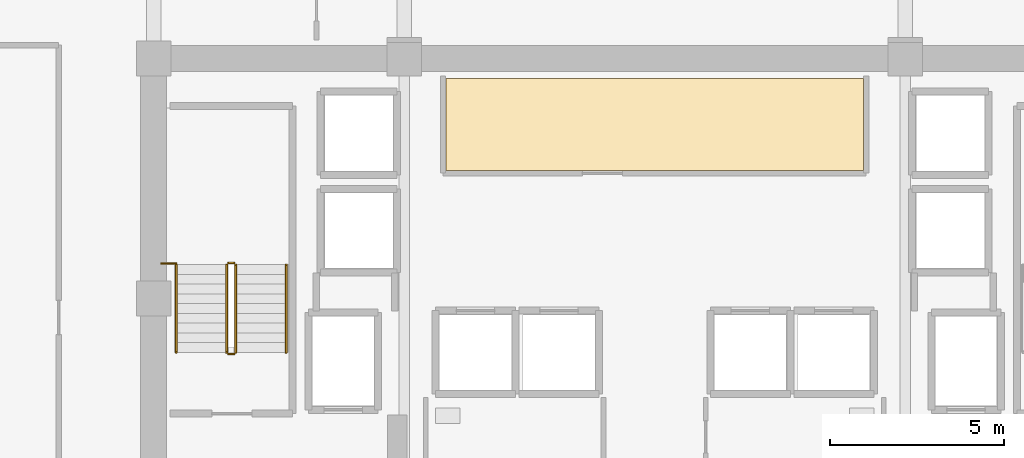
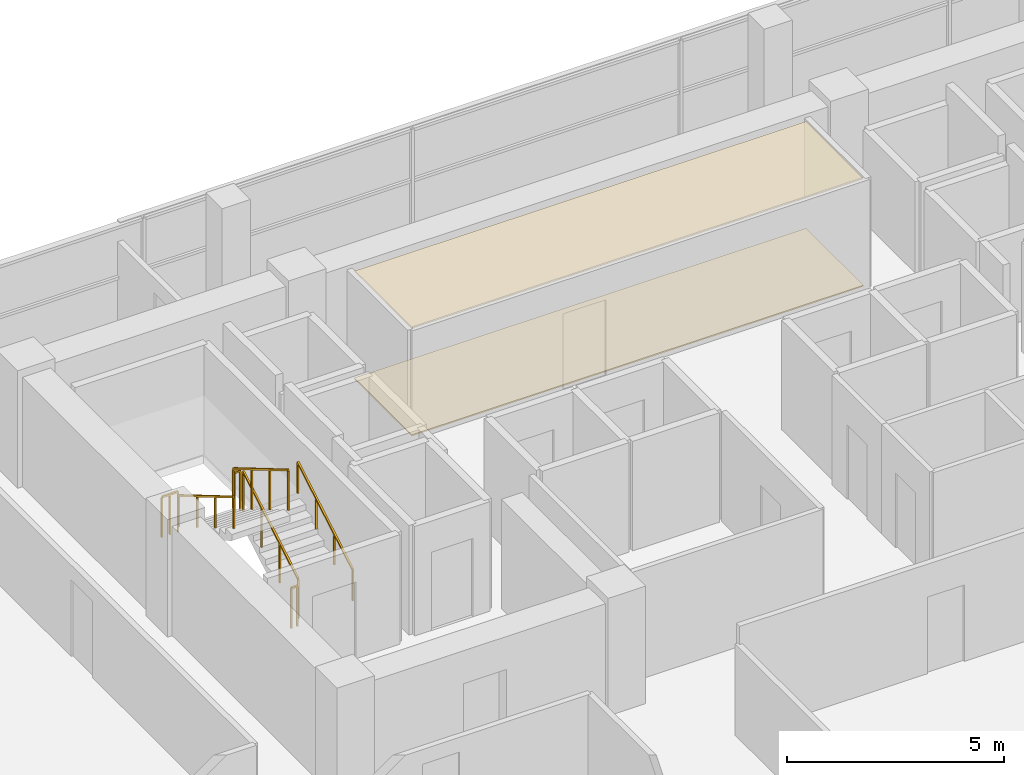
# One storey, part 21 of 23: 7 railings, 2 coverings.
"""IFC4 building model written with IfcOpenShell, lengths in metres."""

from ifc_helpers import new_model, si_unit, direction, frame, origin, origin_2d, place, context, subcontext, project, spatial, polyline, rectangle, outline, extrude, material, layer, layer_set, type_object, element, save


model = new_model("IFC4")

# Units and contexts
model_context = context("Model", 3, precision=1e-05, world=origin(), true_north=direction((0.0, 1.0)))
body_context = subcontext(model_context, "Body", "Model", "MODEL_VIEW")
ifc_project = project(units=[si_unit("LENGTHUNIT", "METRE"), si_unit("AREAUNIT", "SQUARE_METRE"), si_unit("VOLUMEUNIT", "CUBIC_METRE"), si_unit("PLANEANGLEUNIT", "RADIAN"), si_unit("MASSUNIT", "GRAM", prefix="KILO")], contexts=[model_context])

# Site, building, storey
site_placement = place(None, origin())
site = spatial("IfcSite", under=ifc_project, at=site_placement, CompositionType="ELEMENT")
building_placement = place(site_placement, origin())
building = spatial("IfcBuilding", under=site, at=building_placement, Name="Zarnakvel Exchange Tower", CompositionType="ELEMENT")
storey_placement = place(building_placement, frame((0.0, 0.0, 146.199951171875)))
storey = spatial("IfcBuildingStorey", under=building, at=storey_placement, Name="L40", CompositionType="ELEMENT", Elevation=146.199951171875)

# Coverings
ifc_material_1 = material(Name="Perforated Bronze Acoustic Metal Ceiling", Category="aluminium")
ifc_layer_1 = layer(ifc_material_1, 0.02001953125)
ifc_layer_set_1 = layer_set([ifc_layer_1], Name="Perforated Bronze Acoustic Metal Ceiling")
covering_type_1 = type_object("IfcCoveringType", Name="CLG-01", PredefinedType="CEILING", material=ifc_layer_set_1)
covering_1_placement = place(storey_placement, frame((0.0, 0.0, 3.01513671875)))
element("IfcCovering", 1, at=covering_1_placement, inside=storey, type_object=covering_type_1, Name="L40 Suspended Acoustic Ceiling (Market Data Archive Suite)", PredefinedType="CEILING", context=body_context, shape_type="SweptSolid", body=[
    extrude(outline(polyline([(-6.0, 12.919921875), (6.0, 12.919921875), (6.0, 10.280029296875), (-6.0, 10.280029296875), (-6.0, 12.919921875)])), origin(), (0.0, 0.0, 1.0), 0.02001953125),
])
ifc_material_2 = material(Name="Heavy-Duty Raised Access Floor Panel", Category="steel")
ifc_layer_2 = layer(ifc_material_2, 0.034912109375)
ifc_layer_set_2 = layer_set([ifc_layer_2], Name="Heavy-Duty Raised Access Floor Panel")
covering_type_2 = type_object("IfcCoveringType", Name="FLR-02", PredefinedType="FLOORING", material=ifc_layer_set_2)
covering_2_placement = place(storey_placement, origin())
element("IfcCovering", 2, at=covering_2_placement, inside=storey, type_object=covering_type_2, Name="L40 Floor Finish (Market Data Archive Suite)", PredefinedType="FLOORING", context=body_context, shape_type="SweptSolid", body=[
    extrude(outline(polyline([(-6.0, 12.919921875), (6.0, 12.919921875), (6.0, 10.280029296875), (-6.0, 10.280029296875), (-6.0, 12.919921875)])), origin(), (0.0, 0.0, 1.0), 0.03515625),
])

# Railings
ifc_material_3 = material(Name="Brushed Stainless Steel", Category="steel")
railing_type_1 = type_object("IfcRailingType", Name="HR-01", PredefinedType="HANDRAIL", material=ifc_material_3)
railing_1_placement = place(storey_placement, frame((-10.590087890625, 5.050048828125, 0.1650390625)))
element("IfcRailing", 3, at=railing_1_placement, inside=storey, type_object=railing_type_1, Name="L40 ST-01 stair handrail 1", PredefinedType="HANDRAIL", context=body_context, shape_type="SweptSolid", body=[
    extrude(rectangle(XDim=0.048095703125, YDim=0.048095703125, at=origin_2d()), frame((0.0, 0.0, 0.8759765625), z_axis=(0.0, 0.86152411907, 0.507716645641), x_axis=(-1.0, 0.0, 0.0)), (0.0, 0.0, 1.0), 2.925048828125),
    extrude(rectangle(XDim=0.0419921875, YDim=0.0419921875, at=origin_2d()), origin(), (0.0, 0.0, 1.0), 0.851806640625),
    extrude(rectangle(XDim=0.0419921875, YDim=0.0419921875, at=origin_2d()), frame((0.0, 0.840087890625, 0.4951171875)), (0.0, 0.0, 1.0), 0.851806640625),
    extrude(rectangle(XDim=0.0419921875, YDim=0.0419921875, at=origin_2d()), frame((0.0, 1.679931640625, 0.989990234375)), (0.0, 0.0, 1.0), 0.851806640625),
    extrude(rectangle(XDim=0.0419921875, YDim=0.0419921875, at=origin_2d()), frame((0.0, 2.52001953125, 1.485107421875)), (0.0, 0.0, 1.0), 0.851806640625),
])
railing_2_placement = place(storey_placement, frame((-13.75, 7.570068359375, 1.81494140625)))
element("IfcRailing", 4, at=railing_2_placement, inside=storey, type_object=railing_type_1, Name="L40 ST-01 stair handrail 2", PredefinedType="HANDRAIL", context=body_context, shape_type="SweptSolid", body=[
    extrude(rectangle(XDim=0.048095703125, YDim=0.048095703125, at=origin_2d()), frame((0.0, 0.0, 0.8759765625), z_axis=(0.0, -0.86152411907, 0.507716645641), x_axis=(1.0, 0.0, 0.0)), (0.0, 0.0, 1.0), 2.925048828125),
    extrude(rectangle(XDim=0.0419921875, YDim=0.0419921875, at=origin_2d()), origin(), (0.0, 0.0, 1.0), 0.851806640625),
    extrude(rectangle(XDim=0.0419921875, YDim=0.0419921875, at=origin_2d()), frame((0.0, -0.840087890625, 0.4951171875)), (0.0, 0.0, 1.0), 0.851806640625),
    extrude(rectangle(XDim=0.0419921875, YDim=0.0419921875, at=origin_2d()), frame((0.0, -1.679931640625, 0.989990234375)), (0.0, 0.0, 1.0), 0.851806640625),
    extrude(rectangle(XDim=0.0419921875, YDim=0.0419921875, at=origin_2d()), frame((0.0, -2.52001953125, 1.485107421875)), (0.0, 0.0, 1.0), 0.851806640625),
])
ifc_material_4 = material(Name="Architectural Bronze Anodised Aluminium", Category="aluminium")
railing_type_2 = type_object("IfcRailingType", Name="SG-01", PredefinedType="GUARDRAIL", material=ifc_material_4)
railing_3_placement = place(storey_placement, frame((-12.0400390625, 5.050048828125, 0.1650390625)))
element("IfcRailing", 5, at=railing_3_placement, inside=storey, type_object=railing_type_2, Name="L40 ST-01 stair guard 1", PredefinedType="GUARDRAIL", context=body_context, shape_type="SweptSolid", body=[
    extrude(rectangle(XDim=0.048095703125, YDim=0.048095703125, at=origin_2d()), frame((0.0, 0.0, 1.1259765625), z_axis=(0.0, 0.86152411907, 0.507716645641), x_axis=(-1.0, 0.0, 0.0)), (0.0, 0.0, 1.0), 2.925048828125),
    extrude(rectangle(XDim=0.0419921875, YDim=0.0419921875, at=origin_2d()), origin(), (0.0, 0.0, 1.0), 1.101806640625),
    extrude(rectangle(XDim=0.0419921875, YDim=0.0419921875, at=origin_2d()), frame((0.0, 0.840087890625, 0.4951171875)), (0.0, 0.0, 1.0), 1.101806640625),
    extrude(rectangle(XDim=0.0419921875, YDim=0.0419921875, at=origin_2d()), frame((0.0, 1.679931640625, 0.989990234375)), (0.0, 0.0, 1.0), 1.101806640625),
    extrude(rectangle(XDim=0.0419921875, YDim=0.0419921875, at=origin_2d()), frame((0.0, 2.52001953125, 1.485107421875)), (0.0, 0.0, 1.0), 1.101806640625),
])
railing_4_placement = place(storey_placement, frame((-12.090087890625, 7.6201171875, 1.650146484375)))
element("IfcRailing", 6, at=railing_4_placement, inside=storey, type_object=railing_type_2, Name="L40 ST-01 stair guard 2", PredefinedType="GUARDRAIL", context=body_context, shape_type="SweptSolid", body=[
    extrude(rectangle(XDim=0.048095703125, YDim=0.048095703125, at=origin_2d()), frame((0.0, 0.0, 1.1259765625), z_axis=(-1.0, 0.0, 0.0), x_axis=(0.0, -1.0, 0.0)), (0.0, 0.0, 1.0), 0.159912109375),
    extrude(rectangle(XDim=0.0419921875, YDim=0.0419921875, at=origin_2d()), origin(), (0.0, 0.0, 1.0), 1.101806640625),
    extrude(rectangle(XDim=0.0419921875, YDim=0.0419921875, at=origin_2d()), frame((-0.159912109375, 0.0, 0.0)), (0.0, 0.0, 1.0), 1.101806640625),
])
railing_5_placement = place(storey_placement, frame((-12.300048828125, 7.570068359375, 1.81494140625)))
element("IfcRailing", 7, at=railing_5_placement, inside=storey, type_object=railing_type_2, Name="L40 ST-01 stair guard 3", PredefinedType="GUARDRAIL", context=body_context, shape_type="SweptSolid", body=[
    extrude(rectangle(XDim=0.048095703125, YDim=0.048095703125, at=origin_2d()), frame((0.0, 0.0, 1.1259765625), z_axis=(0.0, -0.86152411907, 0.507716645641), x_axis=(1.0, 0.0, 0.0)), (0.0, 0.0, 1.0), 2.925048828125),
    extrude(rectangle(XDim=0.0419921875, YDim=0.0419921875, at=origin_2d()), origin(), (0.0, 0.0, 1.0), 1.101806640625),
    extrude(rectangle(XDim=0.0419921875, YDim=0.0419921875, at=origin_2d()), frame((0.0, -0.840087890625, 0.4951171875)), (0.0, 0.0, 1.0), 1.101806640625),
    extrude(rectangle(XDim=0.0419921875, YDim=0.0419921875, at=origin_2d()), frame((0.0, -1.679931640625, 0.989990234375)), (0.0, 0.0, 1.0), 1.101806640625),
    extrude(rectangle(XDim=0.0419921875, YDim=0.0419921875, at=origin_2d()), frame((0.0, -2.52001953125, 1.485107421875)), (0.0, 0.0, 1.0), 1.101806640625),
])
railing_6_placement = place(storey_placement, frame((-12.090087890625, 5.0, 0.0)))
element("IfcRailing", 8, at=railing_6_placement, inside=storey, type_object=railing_type_2, Name="L40 ST-01 stair guard 4", PredefinedType="GUARDRAIL", context=body_context, shape_type="SweptSolid", body=[
    extrude(rectangle(XDim=0.048095703125, YDim=0.048095703125, at=origin_2d()), frame((0.0, 0.0, 1.1259765625), z_axis=(-1.0, 0.0, 0.0), x_axis=(0.0, -1.0, 0.0)), (0.0, 0.0, 1.0), 0.159912109375),
    extrude(rectangle(XDim=0.0419921875, YDim=0.0419921875, at=origin_2d()), origin(), (0.0, 0.0, 1.0), 1.101806640625),
    extrude(rectangle(XDim=0.0419921875, YDim=0.0419921875, at=origin_2d()), frame((-0.159912109375, 0.0, 0.0)), (0.0, 0.0, 1.0), 1.101806640625),
])
railing_7_placement = place(storey_placement, frame((-14.179931640625, 7.610107421875, 1.650146484375)))
element("IfcRailing", 9, at=railing_7_placement, inside=storey, type_object=railing_type_2, Name="L40 ST-01 Landing Slot Guardrail", PredefinedType="GUARDRAIL", context=body_context, shape_type="SweptSolid", body=[
    extrude(rectangle(XDim=0.048095703125, YDim=0.048095703125, at=origin_2d()), frame((0.0, 0.0, 1.1259765625), z_axis=(1.0, 0.0, 0.0), x_axis=(0.0, 1.0, 0.0)), (0.0, 0.0, 1.0), 0.429931640625),
    extrude(rectangle(XDim=0.0419921875, YDim=0.0419921875, at=origin_2d()), origin(), (0.0, 0.0, 1.0), 1.101806640625),
    extrude(rectangle(XDim=0.0419921875, YDim=0.0419921875, at=origin_2d()), frame((0.21484375, 0.0, 0.0)), (0.0, 0.0, 1.0), 1.101806640625),
    extrude(rectangle(XDim=0.0419921875, YDim=0.0419921875, at=origin_2d()), frame((0.429931640625, 0.0, 0.0)), (0.0, 0.0, 1.0), 1.101806640625),
])

save(model, "model.ifc")
